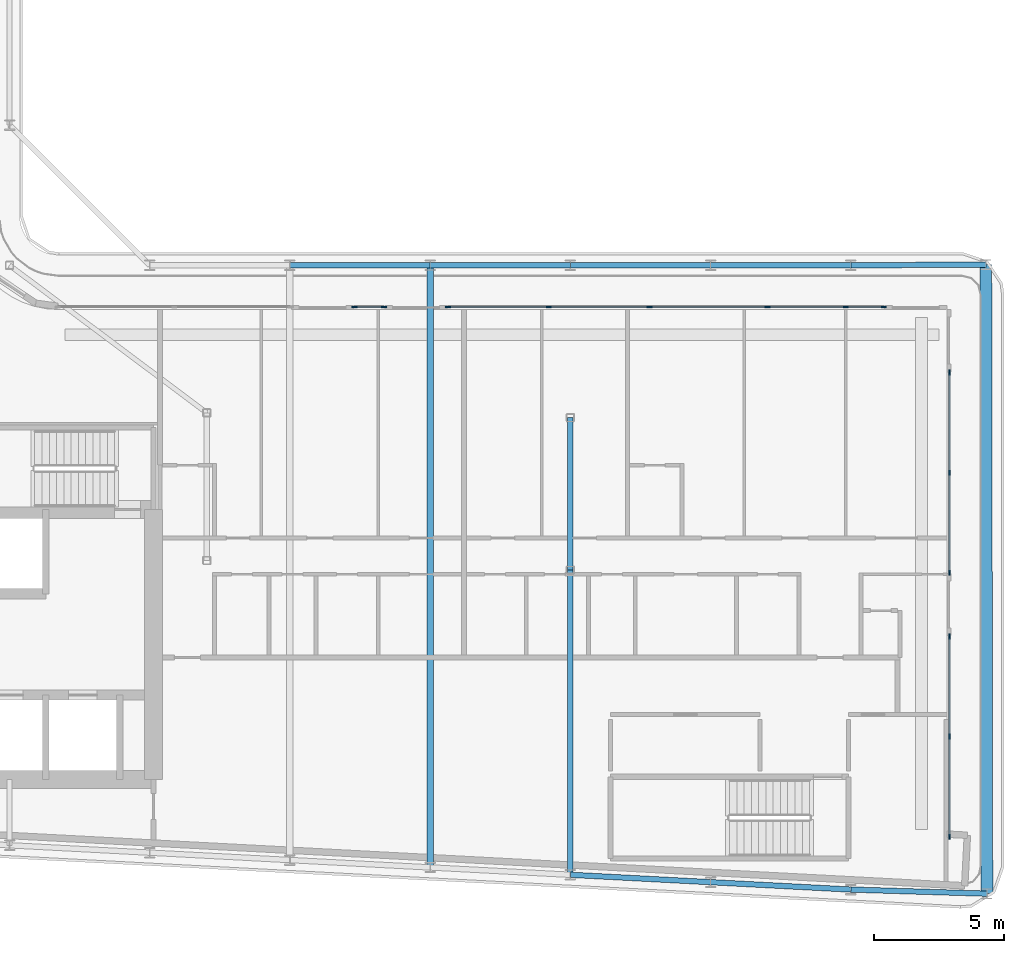
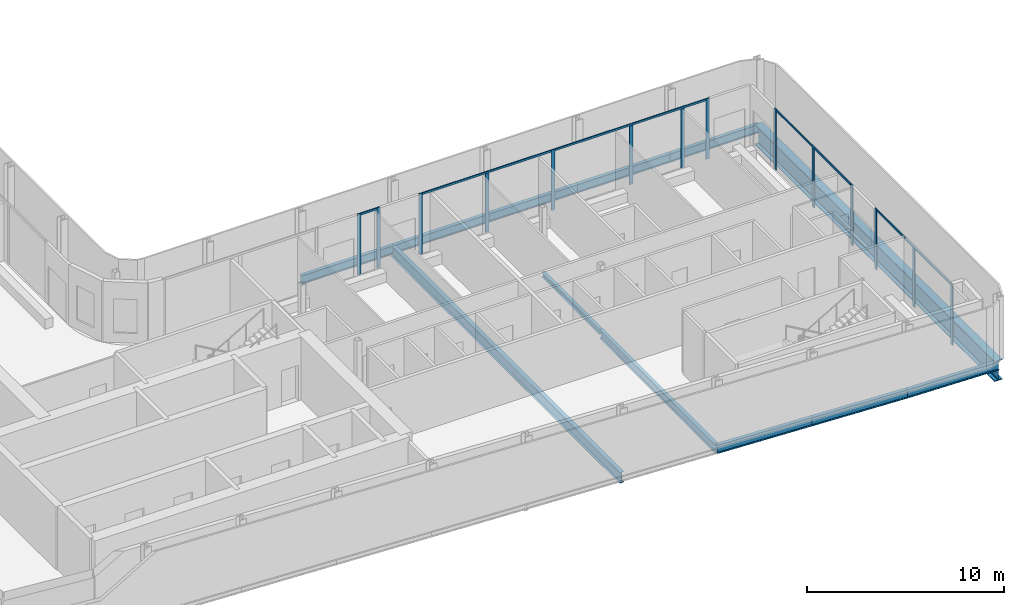
# One storey, part 5 of 22: 19 members, 12 beams, 5 elements without a shape of their own.
"""IFC4 building model written with IfcOpenShell, lengths in metres."""

from ifc_helpers import new_model, si_unit, direction, frame, origin, origin_2d, place, context, subcontext, project, spatial, rectangle, i_section, extrude, material, layer, layer_set, material_profile, profile_set, type_object, element, aggregate, save


model = new_model("IFC4")

# Units and contexts
model_context = context("Model", 3, precision=1e-05, world=origin(), true_north=direction((0.0, 1.0)))
body_context = subcontext(model_context, "Body", "Model", "MODEL_VIEW")
ifc_project = project(units=[si_unit("LENGTHUNIT", "METRE"), si_unit("AREAUNIT", "SQUARE_METRE"), si_unit("VOLUMEUNIT", "CUBIC_METRE"), si_unit("PLANEANGLEUNIT", "RADIAN"), si_unit("MASSUNIT", "GRAM", prefix="KILO")], contexts=[model_context])

# Site, building, storey
site_placement = place(None, origin())
site = spatial("IfcSite", under=ifc_project, at=site_placement, CompositionType="ELEMENT")
building_placement = place(site_placement, origin())
building = spatial("IfcBuilding", under=site, at=building_placement, Name="Kheshtan School and Residences Tower", CompositionType="ELEMENT")
storey_placement = place(building_placement, frame((0.0, 0.0, 263.0)))
storey = spatial("IfcBuildingStorey", under=building, at=storey_placement, Name="L62", CompositionType="ELEMENT", Elevation=263.0)

# Beams
ifc_material_1 = material(Name="Steel ASTM A992 Grade 50", Category="steel")
ifc_material_profile_1 = material_profile(ifc_material_1, i_section(OverallWidth=0.202880859375, OverallDepth=0.302978515625, WebThickness=0.007568359375, FlangeThickness=0.01318359375, FilletRadius=0.009033203125, at=origin_2d()), Name="W310x60")
ifc_profile_set_1 = profile_set([ifc_material_profile_1], Name="Steel ASTM A992 Grade 50")
beam_type_1 = type_object("IfcBeamType", Name="Beam FB1 W310x60 ASTM A992 Grade 50", PredefinedType="BEAM", material=ifc_profile_set_1)
beam_1_placement = place(storey_placement, frame((69.199951171875, 33.863037109375, -0.301513671875), z_axis=(0.0, 1.0, 0.0), x_axis=(-1.0, 0.0, 0.0)))
element("IfcBeam", 1, at=beam_1_placement, inside=storey, type_object=beam_type_1, Name="Floor beam IC", PredefinedType="BEAM", context=body_context, shape_type="SweptSolid", body=[
    extrude(i_section(OverallWidth=0.202880859375, OverallDepth=0.302978515625, WebThickness=0.007568359375, FlangeThickness=0.01318359375, FilletRadius=0.009033203125, at=origin_2d()), origin(), (0.0, 0.0, 1.0), 5.868896484375),
])
ifc_material_profile_2 = material_profile(ifc_material_1, i_section(OverallWidth=0.208984375, OverallDepth=0.532958984375, WebThickness=0.01025390625, FlangeThickness=0.015625, FilletRadius=0.013916015625, at=origin_2d()), Name="W530x92")
ifc_profile_set_2 = profile_set([ifc_material_profile_2], Name="Steel ASTM A992 Grade 50")
beam_type_2 = type_object("IfcBeamType", Name="Beam FB4 W530x92 ASTM A992 Grade 50", PredefinedType="BEAM", material=ifc_profile_set_2)
beam_2_placement = place(storey_placement, frame((69.199951171875, 22.126953125, -0.41650390625), z_axis=(0.0, 1.0, 0.0), x_axis=(-1.0, 0.0, 0.0)))
element("IfcBeam", 2, at=beam_2_placement, inside=storey, type_object=beam_type_2, Name="Floor beam C014", PredefinedType="BEAM", context=body_context, shape_type="SweptSolid", body=[
    extrude(i_section(OverallWidth=0.208984375, OverallDepth=0.532958984375, WebThickness=0.01025390625, FlangeThickness=0.015625, FilletRadius=0.013916015625, at=origin_2d()), origin(), (0.0, 0.0, 1.0), 11.736083984375),
])
ifc_material_profile_3 = material_profile(ifc_material_1, i_section(OverallWidth=0.2529296875, OverallDepth=0.677978515625, WebThickness=0.01171875, FlangeThickness=0.016357421875, FilletRadius=0.0146484375, at=origin_2d()), Name="W690x125")
ifc_profile_set_3 = profile_set([ifc_material_profile_3], Name="Steel ASTM A992 Grade 50")
beam_type_3 = type_object("IfcBeamType", Name="Beam FB6 W690x125 ASTM A992 Grade 50", PredefinedType="BEAM", material=ifc_profile_set_3)
beam_3_placement = place(storey_placement, frame((63.800048828125, 45.60009765625, -0.489013671875), z_axis=(0.0, -1.0, 0.0), x_axis=(1.0, 0.0, 0.0)))
element("IfcBeam", 3, at=beam_3_placement, inside=storey, type_object=beam_type_3, Name="Floor beam C063", PredefinedType="BEAM", context=body_context, shape_type="SweptSolid", body=[
    extrude(i_section(OverallWidth=0.2529296875, OverallDepth=0.677978515625, WebThickness=0.01171875, FlangeThickness=0.016357421875, FilletRadius=0.0146484375, at=origin_2d()), origin(), (0.0, 0.0, 1.0), 23.189208984375),
])
ifc_material_profile_4 = material_profile(ifc_material_1, i_section(OverallWidth=0.208984375, OverallDepth=0.532958984375, WebThickness=0.01025390625, FlangeThickness=0.015625, FilletRadius=0.013916015625, at=origin_2d()), Name="W530x92")
ifc_profile_set_4 = profile_set([ifc_material_profile_4], Name="Steel ASTM A992 Grade 50")
beam_type_4 = type_object("IfcBeamType", Name="Beam SP3 W530x92 ASTM A992 Grade 50", PredefinedType="BEAM", material=ifc_profile_set_4)
beam_4_placement = place(storey_placement, frame((58.39990234375, 45.60009765625, -0.41650390625), z_axis=(1.0, 0.0, 0.0), x_axis=(0.0, 1.0, 0.0)))
element("IfcBeam", 4, at=beam_4_placement, inside=storey, type_object=beam_type_4, Name="Spandrel beam C062-C063", PredefinedType="BEAM", context=body_context, shape_type="SweptSolid", body=[
    extrude(i_section(OverallWidth=0.208984375, OverallDepth=0.532958984375, WebThickness=0.01025390625, FlangeThickness=0.015625, FilletRadius=0.013916015625, at=origin_2d()), origin(), (0.0, 0.0, 1.0), 5.400146484375),
])
beam_5_placement = place(storey_placement, frame((63.800048828125, 45.60009765625, -0.41650390625), z_axis=(1.0, 0.0, 0.0), x_axis=(0.0, 1.0, 0.0)))
element("IfcBeam", 5, at=beam_5_placement, inside=storey, type_object=beam_type_4, Name="Spandrel beam C063-C064", PredefinedType="BEAM", context=body_context, shape_type="SweptSolid", body=[
    extrude(i_section(OverallWidth=0.208984375, OverallDepth=0.532958984375, WebThickness=0.01025390625, FlangeThickness=0.015625, FilletRadius=0.013916015625, at=origin_2d()), origin(), (0.0, 0.0, 1.0), 5.39990234375),
])
beam_6_placement = place(storey_placement, frame((69.199951171875, 45.60009765625, -0.41650390625), z_axis=(1.0, 0.0, 0.0), x_axis=(0.0, 1.0, 0.0)))
element("IfcBeam", 6, at=beam_6_placement, inside=storey, type_object=beam_type_4, Name="Spandrel beam C064-C065", PredefinedType="BEAM", context=body_context, shape_type="SweptSolid", body=[
    extrude(i_section(OverallWidth=0.208984375, OverallDepth=0.532958984375, WebThickness=0.01025390625, FlangeThickness=0.015625, FilletRadius=0.013916015625, at=origin_2d()), origin(), (0.0, 0.0, 1.0), 5.400146484375),
])
beam_7_placement = place(storey_placement, frame((74.60009765625, 45.60009765625, -0.41650390625), z_axis=(1.0, 0.0, 0.0), x_axis=(0.0, 1.0, 0.0)))
element("IfcBeam", 7, at=beam_7_placement, inside=storey, type_object=beam_type_4, Name="Spandrel beam C065-C066", PredefinedType="BEAM", context=body_context, shape_type="SweptSolid", body=[
    extrude(i_section(OverallWidth=0.208984375, OverallDepth=0.532958984375, WebThickness=0.01025390625, FlangeThickness=0.015625, FilletRadius=0.013916015625, at=origin_2d()), origin(), (0.0, 0.0, 1.0), 5.39990234375),
])
beam_8_placement = place(storey_placement, frame((80.0, 45.60009765625, -0.41650390625), z_axis=(0.999985687161, 0.005350277765, 0.0), x_axis=(-0.005350277765, 0.999985687161, 0.0)))
element("IfcBeam", 8, at=beam_8_placement, inside=storey, type_object=beam_type_4, Name="Spandrel beam C066-C076", PredefinedType="BEAM", context=body_context, shape_type="SweptSolid", body=[
    extrude(i_section(OverallWidth=0.208984375, OverallDepth=0.532958984375, WebThickness=0.01025390625, FlangeThickness=0.015625, FilletRadius=0.013916015625, at=origin_2d()), origin(), (0.0, 0.0, 1.0), 5.201904296875),
])
beam_9_placement = place(storey_placement, frame((85.243896484375, 21.39990234375, -0.41650390625), z_axis=(-0.999545226068, 0.030155282206, 0.0), x_axis=(-0.030155282206, -0.999545226068, 0.0)))
element("IfcBeam", 9, at=beam_9_placement, inside=storey, type_object=beam_type_4, Name="Spandrel beam C011-C012", PredefinedType="BEAM", context=body_context, shape_type="SweptSolid", body=[
    extrude(i_section(OverallWidth=0.208984375, OverallDepth=0.532958984375, WebThickness=0.01025390625, FlangeThickness=0.015625, FilletRadius=0.013916015625, at=origin_2d()), origin(), (0.0, 0.0, 1.0), 5.246337890625),
])
beam_10_placement = place(storey_placement, frame((80.0, 21.55810546875, -0.41650390625), z_axis=(-0.998610961136, 0.052689166816, 0.0), x_axis=(-0.052689166816, -0.998610961136, 0.0)))
element("IfcBeam", 10, at=beam_10_placement, inside=storey, type_object=beam_type_4, Name="Spandrel beam C012-C013", PredefinedType="BEAM", context=body_context, shape_type="SweptSolid", body=[
    extrude(i_section(OverallWidth=0.208984375, OverallDepth=0.532958984375, WebThickness=0.01025390625, FlangeThickness=0.015625, FilletRadius=0.013916015625, at=origin_2d()), origin(), (0.0, 0.0, 1.0), 5.407470703125),
])
beam_11_placement = place(storey_placement, frame((74.60009765625, 21.843017578125, -0.41650390625), z_axis=(-0.998620571751, 0.05250670125, 0.0), x_axis=(-0.05250670125, -0.998620571751, 0.0)))
element("IfcBeam", 11, at=beam_11_placement, inside=storey, type_object=beam_type_4, Name="Spandrel beam C013-C014", PredefinedType="BEAM", context=body_context, shape_type="SweptSolid", body=[
    extrude(i_section(OverallWidth=0.208984375, OverallDepth=0.532958984375, WebThickness=0.01025390625, FlangeThickness=0.015625, FilletRadius=0.013916015625, at=origin_2d()), origin(), (0.0, 0.0, 1.0), 5.40771484375),
])

# Curtain wall, members
ifc_material_2 = material(Name="Clear low-e glass in thermally broken aluminium frame", Category="aluminium")
ifc_layer = layer(ifc_material_2, 0.199951171875)
ifc_layer_set = layer_set([ifc_layer], Name="Curtain wall CW-L")
curtain_wall_type = type_object("IfcCurtainWallType", Name="Curtain wall CW-L", PredefinedType="NOTDEFINED", material=ifc_layer_set)
curtain_wall_1_placement = place(storey_placement, origin())
curtain_wall_1 = element("IfcCurtainWall", 12, at=curtain_wall_1_placement, inside=storey, type_object=curtain_wall_type, Name="Curtain wall CWL12b", PredefinedType="NOTDEFINED")
ifc_material_3 = material(Name="Thermally broken aluminium, dark bronze anodised", Category="aluminium")
ifc_material_profile_5 = material_profile(ifc_material_3, rectangle(XDim=0.06005859375, YDim=0.199951171875, at=origin_2d()), Name="CW-L mullion 60x200")
ifc_profile_set_5 = profile_set([ifc_material_profile_5], Name="Thermally broken aluminium, dark bronze anodised")
member_type_1 = type_object("IfcMemberType", Name="CW-L mullion 60x200", PredefinedType="MULLION", material=ifc_profile_set_5)
member_1_placement = place(storey_placement, frame((60.88330078125, 44.0, 0.0), z_axis=(0.0, 0.0, 1.0), x_axis=(0.0, 1.0, 0.0)))
member_1 = element("IfcMember", 13, at=member_1_placement, type_object=member_type_1, Name="CWL12b mullion 1", PredefinedType="MULLION", context=body_context, shape_type="SweptSolid", body=[
    extrude(rectangle(XDim=0.06005859375, YDim=0.199951171875, at=origin_2d()), origin(), (0.0, 0.0, 1.0), 3.75),
])
member_2_placement = place(storey_placement, frame((62.0234375, 44.0, 0.0), z_axis=(0.0, 0.0, 1.0), x_axis=(0.0, 1.0, 0.0)))
member_2 = element("IfcMember", 14, at=member_2_placement, type_object=member_type_1, Name="CWL12b mullion 2", PredefinedType="MULLION", context=body_context, shape_type="SweptSolid", body=[
    extrude(rectangle(XDim=0.06005859375, YDim=0.199951171875, at=origin_2d()), origin(), (0.0, 0.0, 1.0), 3.75),
])

curtain_wall_2_placement = place(storey_placement, origin())
curtain_wall_2 = element("IfcCurtainWall", 15, at=curtain_wall_2_placement, inside=storey, type_object=curtain_wall_type, Name="Curtain wall CWL1229", PredefinedType="NOTDEFINED")
member_3_placement = place(storey_placement, frame((64.4833984375, 44.0, 0.0), z_axis=(0.0, 0.0, 1.0), x_axis=(0.0, 1.0, 0.0)))
member_3 = element("IfcMember", 16, at=member_3_placement, type_object=member_type_1, Name="CWL1229 mullion 1", PredefinedType="MULLION", context=body_context, shape_type="SweptSolid", body=[
    extrude(rectangle(XDim=0.06005859375, YDim=0.199951171875, at=origin_2d()), origin(), (0.0, 0.0, 1.0), 3.75),
])
member_4_placement = place(storey_placement, frame((68.364990234375, 44.0, 0.0), z_axis=(0.0, 0.0, 1.0), x_axis=(0.0, 1.0, 0.0)))
member_4 = element("IfcMember", 17, at=member_4_placement, type_object=member_type_1, Name="CWL1229 mullion 2", PredefinedType="MULLION", context=body_context, shape_type="SweptSolid", body=[
    extrude(rectangle(XDim=0.06005859375, YDim=0.199951171875, at=origin_2d()), origin(), (0.0, 0.0, 1.0), 3.6298828125),
])
member_5_placement = place(storey_placement, frame((72.24658203125, 44.0, 0.0), z_axis=(0.0, 0.0, 1.0), x_axis=(0.0, 1.0, 0.0)))
member_5 = element("IfcMember", 18, at=member_5_placement, type_object=member_type_1, Name="CWL1229 mullion 3", PredefinedType="MULLION", context=body_context, shape_type="SweptSolid", body=[
    extrude(rectangle(XDim=0.06005859375, YDim=0.199951171875, at=origin_2d()), origin(), (0.0, 0.0, 1.0), 3.75),
])

curtain_wall_3_placement = place(storey_placement, origin())
curtain_wall_3 = element("IfcCurtainWall", 19, at=curtain_wall_3_placement, inside=storey, type_object=curtain_wall_type, Name="Curtain wall CWL1228", PredefinedType="NOTDEFINED")
member_6_placement = place(storey_placement, frame((76.788330078125, 44.0, 0.0), z_axis=(0.0, 0.0, 1.0), x_axis=(0.0, 1.0, 0.0)))
member_6 = element("IfcMember", 20, at=member_6_placement, type_object=member_type_1, Name="CWL1228 mullion 2", PredefinedType="MULLION", context=body_context, shape_type="SweptSolid", body=[
    extrude(rectangle(XDim=0.06005859375, YDim=0.199951171875, at=origin_2d()), origin(), (0.0, 0.0, 1.0), 3.6298828125),
])
member_7_placement = place(storey_placement, frame((79.800048828125, 44.0, 0.0), z_axis=(0.0, 0.0, 1.0), x_axis=(0.0, 1.0, 0.0)))
member_7 = element("IfcMember", 21, at=member_7_placement, type_object=member_type_1, Name="CWL1228 mullion 3", PredefinedType="MULLION", context=body_context, shape_type="SweptSolid", body=[
    extrude(rectangle(XDim=0.06005859375, YDim=0.199951171875, at=origin_2d()), origin(), (0.0, 0.0, 1.0), 3.6298828125),
])
member_8_placement = place(storey_placement, frame((81.27001953125, 44.0, 0.0), z_axis=(0.0, 0.0, 1.0), x_axis=(0.0, 1.0, 0.0)))
member_8 = element("IfcMember", 22, at=member_8_placement, type_object=member_type_1, Name="CWL1228 mullion 4", PredefinedType="MULLION", context=body_context, shape_type="SweptSolid", body=[
    extrude(rectangle(XDim=0.06005859375, YDim=0.199951171875, at=origin_2d()), origin(), (0.0, 0.0, 1.0), 3.75),
])

curtain_wall_4_placement = place(storey_placement, origin())
curtain_wall_4 = element("IfcCurtainWall", 23, at=curtain_wall_4_placement, inside=storey, type_object=curtain_wall_type, Name="Curtain wall CWL13c", PredefinedType="NOTDEFINED")
member_9_placement = place(storey_placement, frame((83.800048828125, 41.469970703125, 0.0), z_axis=(0.0, 0.0, 1.0), x_axis=(1.0, 0.0, 0.0)))
member_9 = element("IfcMember", 24, at=member_9_placement, type_object=member_type_1, Name="CWL13c mullion 1", PredefinedType="MULLION", context=body_context, shape_type="SweptSolid", body=[
    extrude(rectangle(XDim=0.06005859375, YDim=0.199951171875, at=origin_2d()), origin(), (0.0, 0.0, 1.0), 3.75),
])
member_10_placement = place(storey_placement, frame((83.800048828125, 37.61669921875, 0.0), z_axis=(0.0, 0.0, 1.0), x_axis=(1.0, 0.0, 0.0)))
member_10 = element("IfcMember", 25, at=member_10_placement, type_object=member_type_1, Name="CWL13c mullion 2", PredefinedType="MULLION", context=body_context, shape_type="SweptSolid", body=[
    extrude(rectangle(XDim=0.06005859375, YDim=0.199951171875, at=origin_2d()), origin(), (0.0, 0.0, 1.0), 3.6298828125),
])
member_11_placement = place(storey_placement, frame((83.800048828125, 33.763427734375, 0.0), z_axis=(0.0, 0.0, 1.0), x_axis=(1.0, 0.0, 0.0)))
member_11 = element("IfcMember", 26, at=member_11_placement, type_object=member_type_1, Name="CWL13c mullion 3", PredefinedType="MULLION", context=body_context, shape_type="SweptSolid", body=[
    extrude(rectangle(XDim=0.06005859375, YDim=0.199951171875, at=origin_2d()), origin(), (0.0, 0.0, 1.0), 3.75),
])

curtain_wall_5_placement = place(storey_placement, origin())
curtain_wall_5 = element("IfcCurtainWall", 27, at=curtain_wall_5_placement, inside=storey, type_object=curtain_wall_type, Name="Curtain wall CWL13c", PredefinedType="NOTDEFINED")
member_12_placement = place(storey_placement, frame((83.800048828125, 31.303466796875, 0.0), z_axis=(0.0, 0.0, 1.0), x_axis=(1.0, 0.0, 0.0)))
member_12 = element("IfcMember", 28, at=member_12_placement, type_object=member_type_1, Name="CWL13c mullion 1", PredefinedType="MULLION", context=body_context, shape_type="SweptSolid", body=[
    extrude(rectangle(XDim=0.06005859375, YDim=0.199951171875, at=origin_2d()), origin(), (0.0, 0.0, 1.0), 3.75),
])
member_13_placement = place(storey_placement, frame((83.800048828125, 27.4501953125, 0.0), z_axis=(0.0, 0.0, 1.0), x_axis=(1.0, 0.0, 0.0)))
member_13 = element("IfcMember", 29, at=member_13_placement, type_object=member_type_1, Name="CWL13c mullion 2", PredefinedType="MULLION", context=body_context, shape_type="SweptSolid", body=[
    extrude(rectangle(XDim=0.06005859375, YDim=0.199951171875, at=origin_2d()), origin(), (0.0, 0.0, 1.0), 3.6298828125),
])
member_14_placement = place(storey_placement, frame((83.800048828125, 23.596923828125, 0.0), z_axis=(0.0, 0.0, 1.0), x_axis=(1.0, 0.0, 0.0)))
member_14 = element("IfcMember", 30, at=member_14_placement, type_object=member_type_1, Name="CWL13c mullion 3", PredefinedType="MULLION", context=body_context, shape_type="SweptSolid", body=[
    extrude(rectangle(XDim=0.06005859375, YDim=0.199951171875, at=origin_2d()), origin(), (0.0, 0.0, 1.0), 3.75),
])

# Member
ifc_material_profile_6 = material_profile(ifc_material_3, rectangle(XDim=0.06005859375, YDim=0.1201171875, at=origin_2d()), Name="CW-L transom 60x120")
ifc_profile_set_6 = profile_set([ifc_material_profile_6], Name="Thermally broken aluminium, dark bronze anodised")
member_type_2 = type_object("IfcMemberType", Name="CW-L transom 60x120", PredefinedType="USERDEFINED", material=ifc_profile_set_6)
member_15_placement = place(storey_placement, frame((60.913330078125, 44.0, 3.68994140625), z_axis=(1.0, 0.0, 0.0), x_axis=(0.0, 1.0, 0.0)))
member_15 = element("IfcMember", 31, at=member_15_placement, type_object=member_type_2, Name="CWL12b transom 1", ObjectType="TRANSOM", PredefinedType="USERDEFINED", context=body_context, shape_type="SweptSolid", body=[
    extrude(rectangle(XDim=0.06005859375, YDim=0.1201171875, at=origin_2d()), origin(), (0.0, 0.0, 1.0), 1.080078125),
])

aggregate(curtain_wall_1, [member_1, member_2, member_15])

member_16_placement = place(storey_placement, frame((64.513427734375, 44.0, 3.68994140625), z_axis=(1.0, 0.0, 0.0), x_axis=(0.0, 1.0, 0.0)))
member_16 = element("IfcMember", 32, at=member_16_placement, type_object=member_type_2, Name="CWL1229 transom 1", ObjectType="TRANSOM", PredefinedType="USERDEFINED", context=body_context, shape_type="SweptSolid", body=[
    extrude(rectangle(XDim=0.06005859375, YDim=0.1201171875, at=origin_2d()), origin(), (0.0, 0.0, 1.0), 7.703125),
])

aggregate(curtain_wall_2, [member_3, member_4, member_5, member_16])

member_17_placement = place(storey_placement, frame((72.276611328125, 44.0, 3.68994140625), z_axis=(1.0, 0.0, 0.0), x_axis=(0.0, 1.0, 0.0)))
member_17 = element("IfcMember", 33, at=member_17_placement, type_object=member_type_2, Name="CWL1228 transom 1", ObjectType="TRANSOM", PredefinedType="USERDEFINED", context=body_context, shape_type="SweptSolid", body=[
    extrude(rectangle(XDim=0.06005859375, YDim=0.1201171875, at=origin_2d()), origin(), (0.0, 0.0, 1.0), 8.96337890625),
])

aggregate(curtain_wall_3, [member_6, member_7, member_8, member_17])

member_18_placement = place(storey_placement, frame((83.800048828125, 41.43994140625, 3.68994140625), z_axis=(0.0, -1.0, 0.0), x_axis=(1.0, 0.0, 0.0)))
member_18 = element("IfcMember", 34, at=member_18_placement, type_object=member_type_2, Name="CWL13c transom 1", ObjectType="TRANSOM", PredefinedType="USERDEFINED", context=body_context, shape_type="SweptSolid", body=[
    extrude(rectangle(XDim=0.06005859375, YDim=0.1201171875, at=origin_2d()), origin(), (0.0, 0.0, 1.0), 7.646484375),
])

aggregate(curtain_wall_4, [member_9, member_10, member_11, member_18])

member_19_placement = place(storey_placement, frame((83.800048828125, 31.2734375, 3.68994140625), z_axis=(0.0, -1.0, 0.0), x_axis=(1.0, 0.0, 0.0)))
member_19 = element("IfcMember", 35, at=member_19_placement, type_object=member_type_2, Name="CWL13c transom 1", ObjectType="TRANSOM", PredefinedType="USERDEFINED", context=body_context, shape_type="SweptSolid", body=[
    extrude(rectangle(XDim=0.06005859375, YDim=0.1201171875, at=origin_2d()), origin(), (0.0, 0.0, 1.0), 7.646484375),
])

aggregate(curtain_wall_5, [member_12, member_13, member_14, member_19])

# Beam
ifc_material_profile_7 = material_profile(ifc_material_1, i_section(OverallWidth=0.449951171875, OverallDepth=1.25, WebThickness=0.02490234375, FlangeThickness=0.044921875, FilletRadius=0.03759765625, at=origin_2d()), Name="WWF1250x546")
ifc_profile_set_7 = profile_set([ifc_material_profile_7], Name="Steel ASTM A992 Grade 50")
beam_type_5 = type_object("IfcBeamType", Name="Transfer girder TG4 WWF1250x546 ASTM A992 Grade 50", PredefinedType="BEAM", material=ifc_profile_set_7)
beam_12_placement = place(storey_placement, frame((85.201904296875, 45.6279296875, -0.77490234375), z_axis=(0.001733204434, -0.999998498, 0.0), x_axis=(0.999998498, 0.001733204434, 0.0)))
element("IfcBeam", 36, at=beam_12_placement, inside=storey, type_object=beam_type_5, Name="Transfer girder C076-C011", PredefinedType="BEAM", context=body_context, shape_type="SweptSolid", body=[
    extrude(i_section(OverallWidth=0.449951171875, OverallDepth=1.25, WebThickness=0.02490234375, FlangeThickness=0.044921875, FilletRadius=0.03759765625, at=origin_2d()), origin(), (0.0, 0.0, 1.0), 24.22802734375),
])

save(model, "model.ifc")
